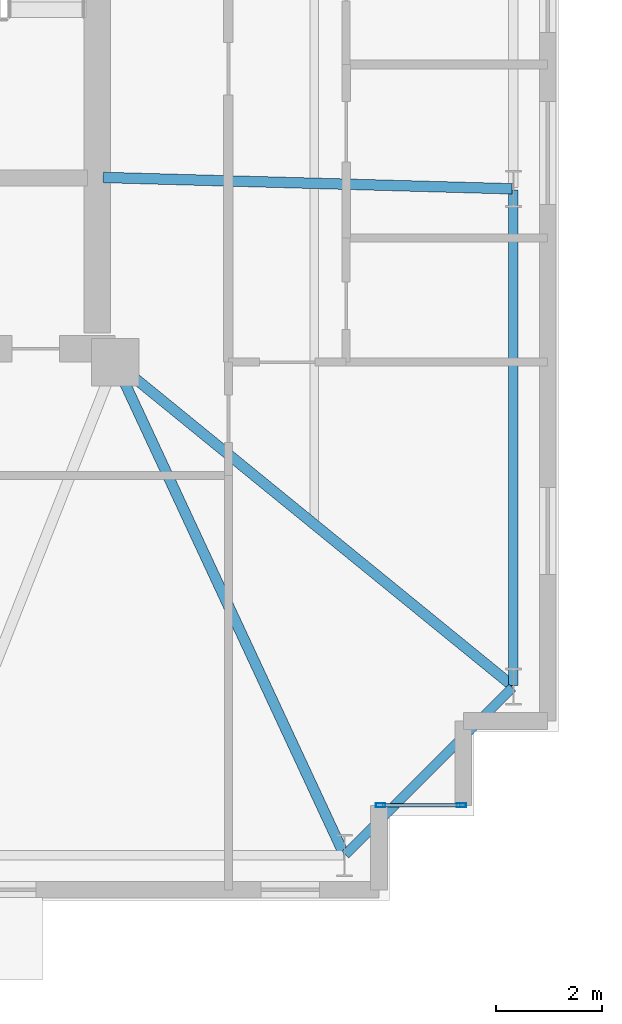
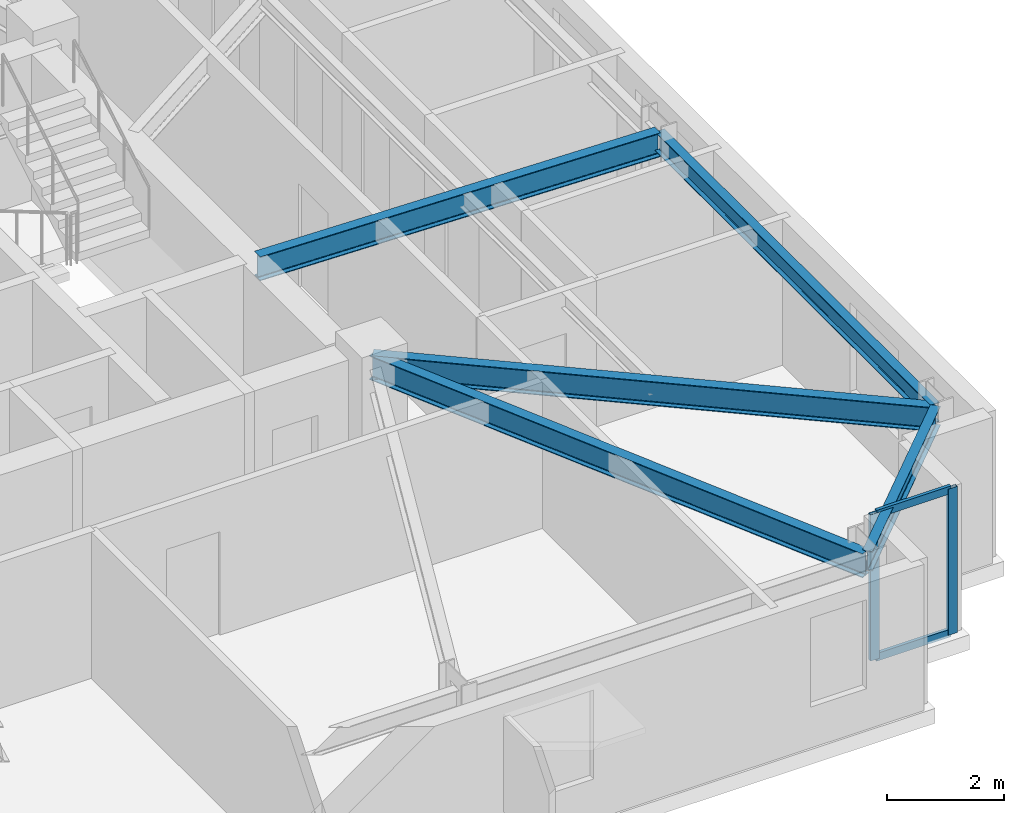
# One storey, part 5 of 19: 5 beams, 4 members, 1 element without a shape of its own.
"""IFC4 building model written with IfcOpenShell, lengths in metres."""

from ifc_helpers import new_model, si_unit, direction, frame, origin, origin_2d, place, context, subcontext, project, spatial, hollow_rectangle, i_section, extrude, material, layer, layer_set, material_profile, profile_set, type_object, element, aggregate, save


model = new_model("IFC4")

# Units and contexts
model_context = context("Model", 3, precision=1e-05, world=origin(), true_north=direction((0.0, 1.0)))
body_context = subcontext(model_context, "Body", "Model", "MODEL_VIEW")
ifc_project = project(units=[si_unit("LENGTHUNIT", "METRE"), si_unit("AREAUNIT", "SQUARE_METRE"), si_unit("VOLUMEUNIT", "CUBIC_METRE"), si_unit("PLANEANGLEUNIT", "RADIAN"), si_unit("MASSUNIT", "GRAM", prefix="KILO")], contexts=[model_context])

# Site, building, storey
site_placement = place(None, origin())
site = spatial("IfcSite", under=ifc_project, at=site_placement, CompositionType="ELEMENT")
building_placement = place(site_placement, origin())
building = spatial("IfcBuilding", under=site, at=building_placement, Name="Qobustan Lattice House", CompositionType="ELEMENT")
storey_placement = place(building_placement, frame((0.0, 0.0, 137.699951171875)))
storey = spatial("IfcBuildingStorey", under=building, at=storey_placement, Name="L38", CompositionType="ELEMENT", Elevation=137.699951171875)

# Beams
ifc_material_1 = material(Name="Steel S355", Category="steel")
ifc_material_profile_1 = material_profile(ifc_material_1, i_section(OverallWidth=0.199951171875, OverallDepth=0.5, WebThickness=0.01025390625, FlangeThickness=0.01611328125, FilletRadius=0.02099609375, at=origin_2d()), Name="IPE500")
ifc_profile_set_1 = profile_set([ifc_material_profile_1], Name="Steel S355")
beam_type_1 = type_object("IfcBeamType", Name="BM-FLG-IPE500", PredefinedType="USERDEFINED", material=ifc_profile_set_1)
beam_1_placement = place(storey_placement, frame((23.139404296875, -14.92724609375, 2.7900390625), z_axis=(-0.421827633168, 0.906676043521, 0.0), x_axis=(-0.906676043521, -0.421827633168, 0.0)))
element("IfcBeam", 1, at=beam_1_placement, inside=storey, type_object=beam_type_1, Name="L38 primary floor girder RAD-S7E", ObjectType="GIRDER", PredefinedType="USERDEFINED", context=body_context, shape_type="SweptSolid", body=[
    extrude(i_section(OverallWidth=0.199951171875, OverallDepth=0.5, WebThickness=0.01025390625, FlangeThickness=0.01611328125, FilletRadius=0.02099609375, at=origin_2d()), origin(), (0.0, 0.0, 1.0), 10.26220703125),
])
beam_2_placement = place(storey_placement, frame((26.324951171875, -2.31591796875, 2.7900390625), z_axis=(-0.999614226396, 0.027774059592, 0.0), x_axis=(-0.027774059592, -0.999614226396, 0.0)))
element("IfcBeam", 2, at=beam_2_placement, inside=storey, type_object=beam_type_1, Name="L38 primary floor girder RAD-E2", ObjectType="GIRDER", PredefinedType="USERDEFINED", context=body_context, shape_type="SweptSolid", body=[
    extrude(i_section(OverallWidth=0.199951171875, OverallDepth=0.5, WebThickness=0.01025390625, FlangeThickness=0.01611328125, FilletRadius=0.02099609375, at=origin_2d()), origin(), (0.0, 0.0, 1.0), 7.7529296875),
])
beam_3_placement = place(storey_placement, frame((26.33056640625, -11.734130859375, 2.7900390625), z_axis=(-0.775328675038, 0.631557951152, 0.0), x_axis=(-0.631557951152, -0.775328675038, 0.0)))
element("IfcBeam", 3, at=beam_3_placement, inside=storey, type_object=beam_type_1, Name="L38 primary floor girder RAD-E1", ObjectType="GIRDER", PredefinedType="USERDEFINED", context=body_context, shape_type="SweptSolid", body=[
    extrude(i_section(OverallWidth=0.199951171875, OverallDepth=0.5, WebThickness=0.01025390625, FlangeThickness=0.01611328125, FilletRadius=0.02099609375, at=origin_2d()), origin(), (0.0, 0.0, 1.0), 9.687744140625),
])
ifc_material_2 = material(Name="Steel S355", Category="steel")
ifc_material_profile_2 = material_profile(ifc_material_2, i_section(OverallWidth=0.179931640625, OverallDepth=0.39990234375, WebThickness=0.008544921875, FlangeThickness=0.013427734375, FilletRadius=0.02099609375, at=origin_2d()), Name="IPE400")
ifc_profile_set_2 = profile_set([ifc_material_profile_2], Name="Steel S355")
beam_type_2 = type_object("IfcBeamType", Name="BM-SPD-IPE400", PredefinedType="SPANDREL", material=ifc_profile_set_2)
beam_4_placement = place(storey_placement, frame((23.167724609375, -14.932373046875, 2.840087890625), z_axis=(0.707079505568, 0.707134055753, 0.0), x_axis=(-0.707134055753, 0.707079505568, 0.0)))
element("IfcBeam", 4, at=beam_4_placement, inside=storey, type_object=beam_type_2, Name="L38 perimeter spandrel S7-E1", PredefinedType="SPANDREL", context=body_context, shape_type="SweptSolid", body=[
    extrude(i_section(OverallWidth=0.179931640625, OverallDepth=0.39990234375, WebThickness=0.008544921875, FlangeThickness=0.013427734375, FilletRadius=0.02099609375, at=origin_2d()), origin(), (0.0, 0.0, 1.0), 4.4755859375),
])
beam_5_placement = place(storey_placement, frame((26.35009765625, -11.72509765625, 2.840087890625), z_axis=(0.0, 1.0, 0.0), x_axis=(-1.0, 0.0, 0.0)))
element("IfcBeam", 5, at=beam_5_placement, inside=storey, type_object=beam_type_2, Name="L38 perimeter spandrel E1-E2", PredefinedType="SPANDREL", context=body_context, shape_type="SweptSolid", body=[
    extrude(i_section(OverallWidth=0.179931640625, OverallDepth=0.39990234375, WebThickness=0.008544921875, FlangeThickness=0.013427734375, FilletRadius=0.02099609375, at=origin_2d()), origin(), (0.0, 0.0, 1.0), 9.38330078125),
])

# Curtain wall, members
ifc_material_3 = material(Name="Anodised aluminium and low-E glazing", Category="aluminium")
ifc_layer = layer(ifc_material_3, 0.219970703125)
ifc_layer_set = layer_set([ifc_layer], Name="Anodised aluminium and low-E glazing")
curtain_wall_type = type_object("IfcCurtainWallType", Name="CW-FAC-02", PredefinedType="USERDEFINED", material=ifc_layer_set)
curtain_wall_placement = place(storey_placement, origin())
curtain_wall = element("IfcCurtainWall", 6, at=curtain_wall_placement, inside=storey, type_object=curtain_wall_type, Name="L38 serrated corner faceted glazing 18", ObjectType="CURTAIN WALL", PredefinedType="USERDEFINED")
ifc_material_4 = material(Name="Anodised aluminium EN AW-6063 T6", Category="aluminium")
ifc_material_profile_3 = material_profile(ifc_material_4, hollow_rectangle(XDim=0.070068359375, YDim=0.179931640625, WallThickness=0.00439453125, at=origin_2d()), Name="CWM-180x70")
ifc_profile_set_3 = profile_set([ifc_material_profile_3], Name="Anodised aluminium EN AW-6063 T6")
member_type_1 = type_object("IfcMemberType", Name="CWM-STD-180", PredefinedType="MULLION", material=ifc_profile_set_3)
member_1_placement = place(storey_placement, frame((25.364990234375, -14.0, 0.0), z_axis=(0.0, 0.0, 1.0), x_axis=(0.0, -1.0, 0.0)))
member_1 = element("IfcMember", 7, at=member_1_placement, type_object=member_type_1, Name="CW-F2 mullion 1", PredefinedType="MULLION", context=body_context, shape_type="SweptSolid", body=[
    extrude(hollow_rectangle(XDim=0.070068359375, YDim=0.179931640625, WallThickness=0.00439453125, at=origin_2d()), origin(), (0.0, 0.0, 1.0), 3.0400390625),
])
member_2_placement = place(storey_placement, frame((23.8349609375, -14.0, 0.0), z_axis=(0.0, 0.0, 1.0), x_axis=(0.0, -1.0, 0.0)))
member_2 = element("IfcMember", 8, at=member_2_placement, type_object=member_type_1, Name="CW-F2 mullion 2", PredefinedType="MULLION", context=body_context, shape_type="SweptSolid", body=[
    extrude(hollow_rectangle(XDim=0.070068359375, YDim=0.179931640625, WallThickness=0.00439453125, at=origin_2d()), origin(), (0.0, 0.0, 1.0), 3.0400390625),
])
ifc_material_5 = material(Name="Anodised aluminium EN AW-6063 T6", Category="aluminium")
ifc_material_profile_4 = material_profile(ifc_material_5, hollow_rectangle(XDim=0.06494140625, YDim=0.159912109375, WallThickness=0.00390625, at=origin_2d()), Name="CWT-160x65")
ifc_profile_set_4 = profile_set([ifc_material_profile_4], Name="Anodised aluminium EN AW-6063 T6")
member_type_2 = type_object("IfcMemberType", Name="CWT-HOR-160", PredefinedType="USERDEFINED", material=ifc_profile_set_4)
member_3_placement = place(storey_placement, frame((25.330078125, -14.0, 0.032470703125), z_axis=(-1.0, 0.0, 0.0), x_axis=(0.0, -1.0, 0.0)))
member_3 = element("IfcMember", 9, at=member_3_placement, type_object=member_type_2, Name="CW-F2 transom 1.1", ObjectType="TRANSOM", PredefinedType="USERDEFINED", context=body_context, shape_type="SweptSolid", body=[
    extrude(hollow_rectangle(XDim=0.06494140625, YDim=0.159912109375, WallThickness=0.00390625, at=origin_2d()), origin(), (0.0, 0.0, 1.0), 1.4599609375),
])
member_4_placement = place(storey_placement, frame((25.330078125, -14.0, 3.007568359375), z_axis=(-1.0, 0.0, 0.0), x_axis=(0.0, -1.0, 0.0)))
member_4 = element("IfcMember", 10, at=member_4_placement, type_object=member_type_2, Name="CW-F2 transom 1.2", ObjectType="TRANSOM", PredefinedType="USERDEFINED", context=body_context, shape_type="SweptSolid", body=[
    extrude(hollow_rectangle(XDim=0.06494140625, YDim=0.159912109375, WallThickness=0.00390625, at=origin_2d()), origin(), (0.0, 0.0, 1.0), 1.4599609375),
])
aggregate(curtain_wall, [member_1, member_2, member_3, member_4])

save(model, "model.ifc")
